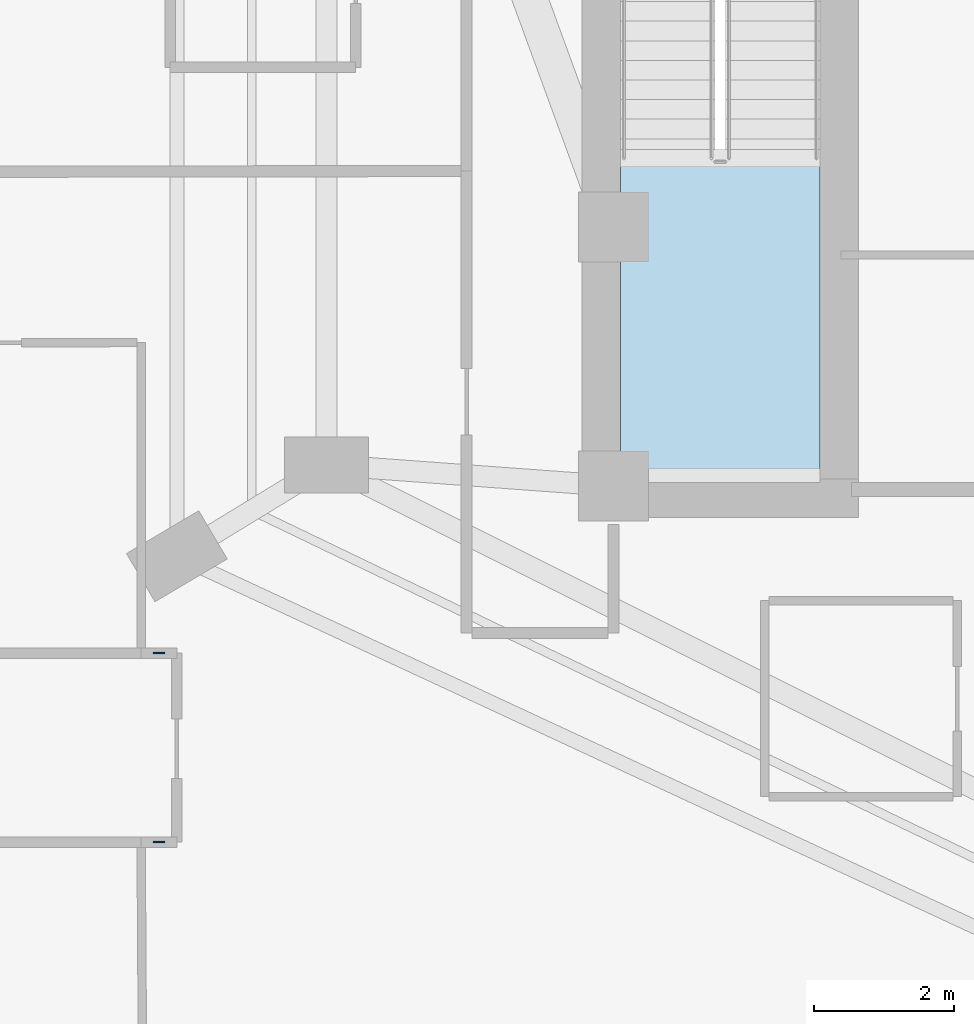
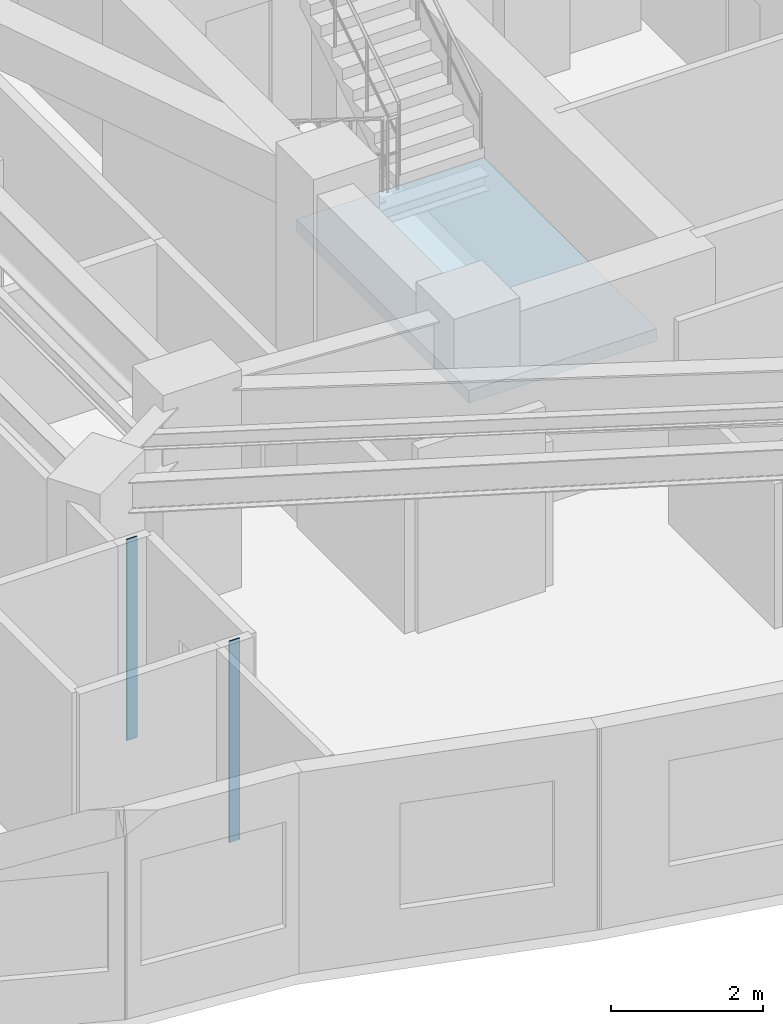
# One storey, part 2 of 11: 2 plates, 1 slab, 1 element without a shape of its own.
"""IFC4 building model written with IfcOpenShell, lengths in metres."""

from ifc_helpers import new_model, si_unit, direction, frame, origin, origin_2d, place, context, subcontext, project, spatial, polyline, rectangle, outline, extrude, material, layer, layer_set, type_object, element, aggregate, save


model = new_model("IFC4")

# Units and contexts
model_context = context("Model", 3, precision=1e-05, world=origin(), true_north=direction((0.0, 1.0)))
body_context = subcontext(model_context, "Body", "Model", "MODEL_VIEW")
ifc_project = project(units=[si_unit("LENGTHUNIT", "METRE"), si_unit("AREAUNIT", "SQUARE_METRE"), si_unit("VOLUMEUNIT", "CUBIC_METRE"), si_unit("PLANEANGLEUNIT", "RADIAN"), si_unit("MASSUNIT", "GRAM", prefix="KILO")], contexts=[model_context])

# Site, building, storey
site_placement = place(None, origin())
site = spatial("IfcSite", under=ifc_project, at=site_placement, CompositionType="ELEMENT")
building_placement = place(site_placement, origin())
building = spatial("IfcBuilding", under=site, at=building_placement, Name="Miruveldt Soraemaru", CompositionType="ELEMENT")
storey_placement = place(building_placement, frame((0.0, 0.0, 149.39990234375)))
storey = spatial("IfcBuildingStorey", under=building, at=storey_placement, Name="L41", CompositionType="ELEMENT", Elevation=149.39990234375)

# Plates
ifc_material_1 = material(Name="Anodised aluminium EN AW-6063 T6", Category="aluminium")
ifc_layer_1 = layer(ifc_material_1, 0.02001953125, Name="Anodised aluminium EN AW-6063 T6", Category="aluminium")
ifc_layer_set_1 = layer_set([ifc_layer_1], Name="Anodised aluminium EN AW-6063 T6")
plate_type = type_object("IfcPlateType", Name="PLT-PART-TRIM", PredefinedType="SHEET", material=ifc_layer_set_1)
for number, where, z_axis, x_axis, name in (
    (1, (29.00390625, 33.110107421875, 0.0), (0.0, 0.0, 1.0), (-1.0, 0.0, 0.0), "L41 Partition Step Corner Trim Plate 043"),
    (2, (29.00390625, 30.409912109375, 0.0), (0.0, 0.0, 1.0), (1.0, 0.0, 0.0), "L41 Partition Step Corner Trim Plate 044"),
):
    element("IfcPlate", number, at=place(storey_placement, frame(where, z_axis=z_axis, x_axis=x_axis)), inside=storey, type_object=plate_type, Name=name, PredefinedType="SHEET", context=body_context, shape_type="SweptSolid", body=[
        extrude(rectangle(XDim=0.159912109375, YDim=0.02001953125, at=origin_2d()), origin(), (0.0, 0.0, 1.0), 3.235107421875),
    ])

# Stair, slab
ifc_material_2 = material(Name="Concrete C40/50 (40 MPa)", Category="concrete")
stair_type = type_object("IfcStairType", Name="STAIR-DL-350", PredefinedType="HALF_TURN_STAIR", material=ifc_material_2)
stair_placement = place(storey_placement, origin())
stair = element("IfcStair", 3, at=stair_placement, inside=storey, type_object=stair_type, Name="L41 Protected Exit Stair ST-1", PredefinedType="HALF_TURN_STAIR")
ifc_layer_2 = layer(ifc_material_2, 0.199951171875, Name="Concrete C40/50 (40 MPa)", Category="concrete")
ifc_layer_set_2 = layer_set([ifc_layer_2], Name="Concrete C40/50 (40 MPa)")
slab_type = type_object("IfcSlabType", Name="SLAB-LAND-200", PredefinedType="LANDING", material=ifc_layer_set_2)
slab_placement = place(storey_placement, frame((0.0, 0.0, 1.550048828125)))
slab = element("IfcSlab", 4, at=slab_placement, type_object=slab_type, Name="ST-1 landing 1", PredefinedType="LANDING", context=body_context, shape_type="SweptSolid", body=[
    extrude(outline(polyline([(35.60009765625, 40.197998046875), (35.60009765625, 35.64990234375), (38.449951171875, 35.64990234375), (38.449951171875, 40.197998046875), (35.60009765625, 40.197998046875)])), origin(), (0.0, 0.0, 1.0), 0.199951171875),
])
aggregate(stair, [slab])

save(model, "model.ifc")
